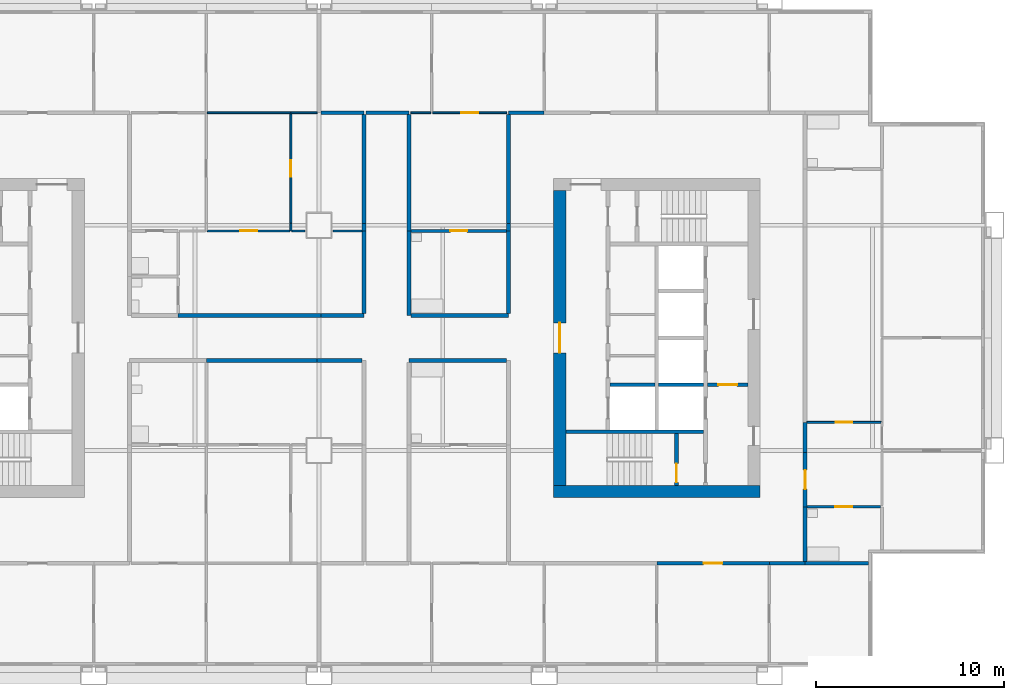
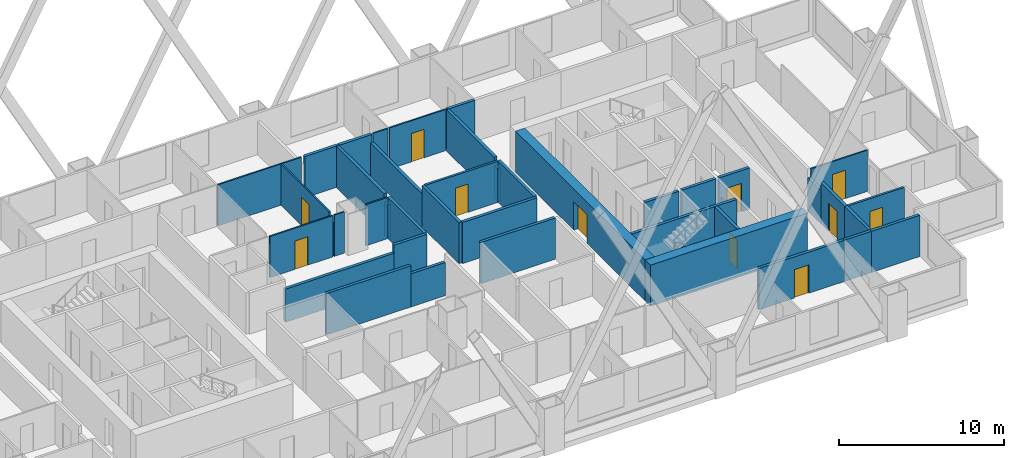
# One storey, part 6 of 11: 42 walls, 11 doors, 11 openings.
"""IFC4 building model written with IfcOpenShell, lengths in metres."""

from ifc_helpers import new_model, si_unit, direction, frame, frame_2d, origin, place, context, subcontext, project, spatial, rectangle, extrude, material, layer, layer_set, type_object, element, fill, save


model = new_model("IFC4")

# Units and contexts
model_context = context("Model", 3, precision=1e-05, world=origin(), true_north=direction((0.0, 1.0)))
body_context = subcontext(model_context, "Body", "Model", "MODEL_VIEW")
ifc_project = project(units=[si_unit("LENGTHUNIT", "METRE"), si_unit("AREAUNIT", "SQUARE_METRE"), si_unit("VOLUMEUNIT", "CUBIC_METRE"), si_unit("PLANEANGLEUNIT", "RADIAN"), si_unit("MASSUNIT", "GRAM", prefix="KILO")], contexts=[model_context])

# Site, building, storey
site_placement = place(None, origin())
site = spatial("IfcSite", under=ifc_project, at=site_placement, CompositionType="ELEMENT")
building_placement = place(site_placement, origin())
building = spatial("IfcBuilding", under=site, at=building_placement, Name="Kitamizu Gate Tower and Museum", CompositionType="ELEMENT")
storey_placement = place(building_placement, frame((0.0, 0.0, 131.10009765625)))
storey = spatial("IfcBuildingStorey", under=building, at=storey_placement, Name="L34", CompositionType="ELEMENT", Elevation=131.10009765625)

# Wall
ifc_material_1 = material(Name="Concrete Fc60", Category="concrete")
ifc_layer_1 = layer(ifc_material_1, 0.64990234375)
ifc_layer_set_1 = layer_set([ifc_layer_1], Name="Concrete Fc60")
wall_type_1 = type_object("IfcWallType", Name="Core wall 650", PredefinedType="SHEAR", material=ifc_layer_set_1)
wall_1_placement = place(storey_placement, frame((59.5, 21.824951171875, 0.0), z_axis=(0.0, 0.0, 1.0), x_axis=(-1.0, 0.0, 0.0)))
element("IfcWall", 1, at=wall_1_placement, inside=storey, type_object=wall_type_1, Name="Core wall ES", PredefinedType="SHEAR", context=body_context, shape_type="SweptSolid", body=[
    extrude(rectangle(XDim=11.0, YDim=0.64990234375, at=frame_2d((5.5, 0.0))), origin(), (0.0, 0.0, 1.0), 3.0498046875),
])

# Wall, opening, door
wall_2_placement = place(storey_placement, frame((48.824951171875, 22.14990234375, 0.0), z_axis=(0.0, 0.0, 1.0), x_axis=(0.0, 1.0, 0.0)))
wall_2 = element("IfcWall", 2, at=wall_2_placement, inside=storey, type_object=wall_type_1, Name="Core wall EARC", PredefinedType="SHEAR", context=body_context, shape_type="SweptSolid", body=[
    extrude(rectangle(XDim=15.7001953125, YDim=0.64990234375, at=frame_2d((7.85009765625, 0.0))), origin(), (0.0, 0.0, 1.0), 3.0498046875),
])
opening_1_placement = place(wall_2_placement, frame((7.050048828125, 0.0, 0.0)))
opening_1 = element("IfcOpeningElement", 3, at=opening_1_placement, cuts=wall_2, Name="Opening L34-072", PredefinedType="OPENING", context=body_context, shape_type="SweptSolid", body=[
    extrude(rectangle(XDim=1.60009765625, YDim=2.10009765625, at=frame_2d((0.800048828125, 1.050048828125))), frame((0.0, 0.3349609375, 0.0), z_axis=(0.0, -1.0, 0.0), x_axis=(1.0, 0.0, 0.0)), (0.0, 0.0, 1.0), 0.669921875),
])
ifc_material_2 = material(Name="Timber door set", Category="wood")
door_type_1 = type_object("IfcDoorType", Name="Entrance door 1600", OperationType="DOUBLE_DOOR_SINGLE_SWING", PredefinedType="DOOR", material=ifc_material_2)
door_1_placement = place(opening_1_placement, origin())
door_1 = element("IfcDoor", 4, at=door_1_placement, inside=storey, type_object=door_type_1, Name="Lobby door L34-072", OperationType="DOUBLE_DOOR_SINGLE_SWING", OverallHeight=2.10009765625, OverallWidth=1.60009765625, PredefinedType="DOOR", context=body_context, shape_type="SweptSolid", body=[
    extrude(rectangle(XDim=1.60009765625, YDim=2.10009765625, at=frame_2d((0.800048828125, 1.050048828125))), frame((0.0, 0.02490234375, 0.0), z_axis=(0.0, -1.0, 0.0), x_axis=(1.0, 0.0, 0.0)), (0.0, 0.0, 1.0), 0.050048828125),
])
fill(opening_1, door_1)

# Walls
ifc_material_3 = material(Name="Gypsum board on galvanised stud")
ifc_layer_2 = layer(ifc_material_3, 0.10009765625)
ifc_layer_set_2 = layer_set([ifc_layer_2], Name="Gypsum board on galvanised stud")
wall_type_2 = type_object("IfcWallType", Name="Partition 100 NOT RATED", PredefinedType="PARTITIONING", material=ifc_layer_set_2)
wall_3_placement = place(storey_placement, frame((30.050048828125, 42.0, 0.0), z_axis=(0.0, 0.0, 1.0), x_axis=(1.0, 0.0, 0.0)))
element("IfcWall", 5, at=wall_3_placement, inside=storey, type_object=wall_type_2, Name="Partition L34-060", PredefinedType="PARTITIONING", context=body_context, shape_type="SweptSolid", body=[
    extrude(rectangle(XDim=4.449951171875, YDim=0.10009765625, at=frame_2d((2.22509765625, 0.0))), origin(), (0.0, 0.0, 1.0), 3.0498046875),
])
wall_4_placement = place(storey_placement, frame((34.5, 42.0, 0.0), z_axis=(0.0, 0.0, 1.0), x_axis=(1.0, 0.0, 0.0)))
element("IfcWall", 6, at=wall_4_placement, inside=storey, type_object=wall_type_2, Name="Partition L34-061", PredefinedType="PARTITIONING", context=body_context, shape_type="SweptSolid", body=[
    extrude(rectangle(XDim=1.39990234375, YDim=0.10009765625, at=frame_2d((0.699951171875, 0.0))), origin(), (0.0, 0.0, 1.0), 3.0498046875),
])
wall_5_placement = place(storey_placement, frame((34.5, 35.699951171875, 0.0), z_axis=(0.0, 0.0, 1.0), x_axis=(0.0, 1.0, 0.0)))
element("IfcWall", 7, at=wall_5_placement, inside=storey, type_object=wall_type_2, Name="Partition L34-068", PredefinedType="PARTITIONING", context=body_context, shape_type="SweptSolid", body=[
    extrude(rectangle(XDim=0.400146484375, YDim=0.10009765625, at=frame_2d((0.2001953125, 0.0))), origin(), (0.0, 0.0, 1.0), 2.449951171875),
])

# Wall, opening, door
wall_6_placement = place(storey_placement, frame((34.5, 36.10009765625, 0.0), z_axis=(0.0, 0.0, 1.0), x_axis=(0.0, 1.0, 0.0)))
wall_6 = element("IfcWall", 8, at=wall_6_placement, inside=storey, type_object=wall_type_2, Name="Partition L34-069", PredefinedType="PARTITIONING", context=body_context, shape_type="SweptSolid", body=[
    extrude(rectangle(XDim=5.849853515625, YDim=0.10009765625, at=frame_2d((2.9248046875, 0.0))), origin(), (0.0, 0.0, 1.0), 3.0498046875),
])
opening_2_placement = place(wall_6_placement, frame((2.47509765625, 0.0, 0.0)))
opening_2 = element("IfcOpeningElement", 9, at=opening_2_placement, cuts=wall_6, Name="Opening L34-025", PredefinedType="OPENING", context=body_context, shape_type="SweptSolid", body=[
    extrude(rectangle(XDim=0.89990234375, YDim=2.10009765625, at=frame_2d((0.449951171875, 1.050048828125))), frame((0.0, 0.06005859375, 0.0), z_axis=(0.0, -1.0, 0.0), x_axis=(1.0, 0.0, 0.0)), (0.0, 0.0, 1.0), 0.1201171875),
])
ifc_material_4 = material(Name="Timber door set", Category="wood")
door_type_2 = type_object("IfcDoorType", Name="Room door 900", OperationType="NOTDEFINED", PredefinedType="DOOR", material=ifc_material_4)
door_2_placement = place(opening_2_placement, frame((0.89990234375, 0.0, 0.0), x_axis=(-1.0, 0.0, 0.0)))
door_2 = element("IfcDoor", 10, at=door_2_placement, inside=storey, type_object=door_type_2, Name="Door L34-025", OperationType="SINGLE_SWING_LEFT", OverallHeight=2.10009765625, OverallWidth=0.89990234375, PredefinedType="DOOR", context=body_context, shape_type="SweptSolid", body=[
    extrude(rectangle(XDim=0.89990234375, YDim=2.10009765625, at=frame_2d((0.449951171875, 1.050048828125))), frame((0.0, 0.02490234375, 0.0), z_axis=(0.0, -1.0, 0.0), x_axis=(1.0, 0.0, 0.0)), (0.0, 0.0, 1.0), 0.050048828125),
])
fill(opening_2, door_2)

wall_7_placement = place(storey_placement, frame((30.050048828125, 35.699951171875, 0.0), z_axis=(0.0, 0.0, 1.0), x_axis=(1.0, 0.0, 0.0)))
wall_7 = element("IfcWall", 11, at=wall_7_placement, inside=storey, type_object=wall_type_2, Name="Partition L34-070", PredefinedType="PARTITIONING", context=body_context, shape_type="SweptSolid", body=[
    extrude(rectangle(XDim=4.39990234375, YDim=0.10009765625, at=frame_2d((2.199951171875, 0.0))), origin(), (0.0, 0.0, 1.0), 3.0498046875),
])
opening_3_placement = place(wall_7_placement, frame((1.75, 0.0, 0.0)))
opening_3 = element("IfcOpeningElement", 12, at=opening_3_placement, cuts=wall_7, Name="Opening L34-027", PredefinedType="OPENING", context=body_context, shape_type="SweptSolid", body=[
    extrude(rectangle(XDim=0.89990234375, YDim=2.10009765625, at=frame_2d((0.449951171875, 1.050048828125))), frame((0.0, 0.06005859375, 0.0), z_axis=(0.0, -1.0, 0.0), x_axis=(1.0, 0.0, 0.0)), (0.0, 0.0, 1.0), 0.1201171875),
])
door_3_placement = place(opening_3_placement, origin())
door_3 = element("IfcDoor", 13, at=door_3_placement, inside=storey, type_object=door_type_2, Name="Door L34-027", OperationType="SINGLE_SWING_RIGHT", OverallHeight=2.10009765625, OverallWidth=0.89990234375, PredefinedType="DOOR", context=body_context, shape_type="SweptSolid", body=[
    extrude(rectangle(XDim=0.89990234375, YDim=2.10009765625, at=frame_2d((0.449951171875, 1.050048828125))), frame((0.0, 0.02490234375, 0.0), z_axis=(0.0, -1.0, 0.0), x_axis=(1.0, 0.0, 0.0)), (0.0, 0.0, 1.0), 0.050048828125),
])
fill(opening_3, door_3)

# Walls
wall_8_placement = place(storey_placement, frame((34.550048828125, 35.699951171875, 0.0), z_axis=(0.0, 0.0, 1.0), x_axis=(1.0, 0.0, 0.0)))
element("IfcWall", 14, at=wall_8_placement, inside=storey, type_object=wall_type_2, Name="Partition L34-071", PredefinedType="PARTITIONING", context=body_context, shape_type="SweptSolid", body=[
    extrude(rectangle(XDim=0.699951171875, YDim=0.10009765625, at=frame_2d((0.35009765625, 0.0))), origin(), (0.0, 0.0, 1.0), 3.0498046875),
])
wall_9_placement = place(storey_placement, frame((36.75, 35.699951171875, 0.0), z_axis=(0.0, 0.0, 1.0), x_axis=(1.0, 0.0, 0.0)))
element("IfcWall", 15, at=wall_9_placement, inside=storey, type_object=wall_type_2, Name="Partition L34-072", PredefinedType="PARTITIONING", context=body_context, shape_type="SweptSolid", body=[
    extrude(rectangle(XDim=1.550048828125, YDim=0.10009765625, at=frame_2d((0.77490234375, 0.0))), origin(), (0.0, 0.0, 1.0), 3.0498046875),
])
wall_10_placement = place(storey_placement, frame((40.89990234375, 42.0, 0.0), z_axis=(0.0, 0.0, 1.0), x_axis=(1.0, 0.0, 0.0)))
element("IfcWall", 16, at=wall_10_placement, inside=storey, type_object=wall_type_2, Name="Partition L34-107", PredefinedType="PARTITIONING", context=body_context, shape_type="SweptSolid", body=[
    extrude(rectangle(XDim=1.050048828125, YDim=0.10009765625, at=frame_2d((0.52490234375, 0.0))), origin(), (0.0, 0.0, 1.0), 3.0498046875),
])

# Wall, opening, door
wall_11_placement = place(storey_placement, frame((42.050048828125, 42.0, 0.0), z_axis=(0.0, 0.0, 1.0), x_axis=(1.0, 0.0, 0.0)))
wall_11 = element("IfcWall", 17, at=wall_11_placement, inside=storey, type_object=wall_type_2, Name="Partition L34-110", PredefinedType="PARTITIONING", context=body_context, shape_type="SweptSolid", body=[
    extrude(rectangle(XDim=3.949951171875, YDim=0.10009765625, at=frame_2d((1.97509765625, 0.0))), origin(), (0.0, 0.0, 1.0), 3.0498046875),
])
opening_4_placement = place(wall_11_placement, frame((1.52490234375, 0.0, 0.0)))
opening_4 = element("IfcOpeningElement", 18, at=opening_4_placement, cuts=wall_11, Name="Opening L34-043", PredefinedType="OPENING", context=body_context, shape_type="SweptSolid", body=[
    extrude(rectangle(XDim=0.89990234375, YDim=2.10009765625, at=frame_2d((0.449951171875, 1.050048828125))), frame((0.0, 0.06005859375, 0.0), z_axis=(0.0, -1.0, 0.0), x_axis=(1.0, 0.0, 0.0)), (0.0, 0.0, 1.0), 0.1201171875),
])
door_4_placement = place(opening_4_placement, origin())
door_4 = element("IfcDoor", 19, at=door_4_placement, inside=storey, type_object=door_type_2, Name="Door L34-043", OperationType="SINGLE_SWING_LEFT", OverallHeight=2.10009765625, OverallWidth=0.89990234375, PredefinedType="DOOR", context=body_context, shape_type="SweptSolid", body=[
    extrude(rectangle(XDim=0.89990234375, YDim=2.10009765625, at=frame_2d((0.449951171875, 1.050048828125))), frame((0.0, 0.02490234375, 0.0), z_axis=(0.0, -1.0, 0.0), x_axis=(1.0, 0.0, 0.0)), (0.0, 0.0, 1.0), 0.050048828125),
])
fill(opening_4, door_4)

wall_12_placement = place(storey_placement, frame((65.949951171875, 25.5, 0.0), z_axis=(0.0, 0.0, 1.0), x_axis=(-1.0, 0.0, 0.0)))
wall_12 = element("IfcWall", 20, at=wall_12_placement, inside=storey, type_object=wall_type_2, Name="Partition L34-136", PredefinedType="PARTITIONING", context=body_context, shape_type="SweptSolid", body=[
    extrude(rectangle(XDim=3.949951171875, YDim=0.10009765625, at=frame_2d((1.97509765625, 0.0))), origin(), (0.0, 0.0, 1.0), 3.0498046875),
])
opening_5_placement = place(wall_12_placement, frame((1.52490234375, 0.0, 0.0)))
opening_5 = element("IfcOpeningElement", 21, at=opening_5_placement, cuts=wall_12, Name="Opening L34-047", PredefinedType="OPENING", context=body_context, shape_type="SweptSolid", body=[
    extrude(rectangle(XDim=0.89990234375, YDim=2.10009765625, at=frame_2d((0.449951171875, 1.050048828125))), frame((0.0, 0.06005859375, 0.0), z_axis=(0.0, -1.0, 0.0), x_axis=(1.0, 0.0, 0.0)), (0.0, 0.0, 1.0), 0.1201171875),
])
door_5_placement = place(opening_5_placement, origin())
door_5 = element("IfcDoor", 22, at=door_5_placement, inside=storey, type_object=door_type_2, Name="Door L34-047", OperationType="SINGLE_SWING_LEFT", OverallHeight=2.10009765625, OverallWidth=0.89990234375, PredefinedType="DOOR", context=body_context, shape_type="SweptSolid", body=[
    extrude(rectangle(XDim=0.89990234375, YDim=2.10009765625, at=frame_2d((0.449951171875, 1.050048828125))), frame((0.0, 0.02490234375, 0.0), z_axis=(0.0, -1.0, 0.0), x_axis=(1.0, 0.0, 0.0)), (0.0, 0.0, 1.0), 0.050048828125),
])
fill(opening_5, door_5)

ifc_material_5 = material(Name="Gypsum board on galvanised stud")
ifc_layer_3 = layer(ifc_material_5, 0.14990234375)
ifc_layer_set_3 = layer_set([ifc_layer_3], Name="Gypsum board on galvanised stud")
wall_type_3 = type_object("IfcWallType", Name="Partition 150", PredefinedType="PARTITIONING", material=ifc_layer_set_3)
wall_13_placement = place(storey_placement, frame((40.89990234375, 35.699951171875, 0.0), z_axis=(0.0, 0.0, 1.0), x_axis=(1.0, 0.0, 0.0)))
wall_13 = element("IfcWall", 23, at=wall_13_placement, inside=storey, type_object=wall_type_3, Name="Partition L34-118", PredefinedType="PARTITIONING", context=body_context, shape_type="SweptSolid", body=[
    extrude(rectangle(XDim=5.10009765625, YDim=0.14990234375, at=frame_2d((2.550048828125, 0.0))), origin(), (0.0, 0.0, 1.0), 3.0498046875),
])
opening_6_placement = place(wall_13_placement, frame((2.10009765625, 0.0, 0.0)))
opening_6 = element("IfcOpeningElement", 24, at=opening_6_placement, cuts=wall_13, Name="Opening L34-044", PredefinedType="OPENING", context=body_context, shape_type="SweptSolid", body=[
    extrude(rectangle(XDim=0.89990234375, YDim=2.10009765625, at=frame_2d((0.449951171875, 1.050048828125))), frame((0.0, 0.0849609375, 0.0), z_axis=(0.0, -1.0, 0.0), x_axis=(1.0, 0.0, 0.0)), (0.0, 0.0, 1.0), 0.169921875),
])
ifc_material_6 = material(Name="Timber door set", Category="wood")
door_type_3 = type_object("IfcDoorType", Name="Bathroom door 900", OperationType="NOTDEFINED", PredefinedType="DOOR", material=ifc_material_6)
door_6_placement = place(opening_6_placement, frame((0.89990234375, 0.0, 0.0), x_axis=(-1.0, 0.0, 0.0)))
door_6 = element("IfcDoor", 25, at=door_6_placement, inside=storey, type_object=door_type_3, Name="Bathroom door L34-044", OperationType="SINGLE_SWING_LEFT", OverallHeight=2.10009765625, OverallWidth=0.89990234375, PredefinedType="DOOR", context=body_context, shape_type="SweptSolid", body=[
    extrude(rectangle(XDim=0.89990234375, YDim=2.10009765625, at=frame_2d((0.449951171875, 1.050048828125))), frame((0.0, 0.02490234375, 0.0), z_axis=(0.0, -1.0, 0.0), x_axis=(1.0, 0.0, 0.0)), (0.0, 0.0, 1.0), 0.050048828125),
])
fill(opening_6, door_6)

wall_14_placement = place(storey_placement, frame((65.925048828125, 21.0, 0.0), z_axis=(0.0, 0.0, 1.0), x_axis=(-1.0, 0.0, 0.0)))
wall_14 = element("IfcWall", 26, at=wall_14_placement, inside=storey, type_object=wall_type_3, Name="Partition L34-134", PredefinedType="PARTITIONING", context=body_context, shape_type="SweptSolid", body=[
    extrude(rectangle(XDim=3.925048828125, YDim=0.14990234375, at=frame_2d((1.96240234375, 0.0))), origin(), (0.0, 0.0, 1.0), 3.0498046875),
])
opening_7_placement = place(wall_14_placement, frame((1.512451171875, 0.0, 0.0)))
opening_7 = element("IfcOpeningElement", 27, at=opening_7_placement, cuts=wall_14, Name="Opening L34-050", PredefinedType="OPENING", context=body_context, shape_type="SweptSolid", body=[
    extrude(rectangle(XDim=0.89990234375, YDim=2.10009765625, at=frame_2d((0.449951171875, 1.050048828125))), frame((0.0, 0.0849609375, 0.0), z_axis=(0.0, -1.0, 0.0), x_axis=(1.0, 0.0, 0.0)), (0.0, 0.0, 1.0), 0.169921875),
])
door_7_placement = place(opening_7_placement, origin())
door_7 = element("IfcDoor", 28, at=door_7_placement, inside=storey, type_object=door_type_3, Name="Bathroom door L34-050", OperationType="SINGLE_SWING_RIGHT", OverallHeight=2.10009765625, OverallWidth=0.89990234375, PredefinedType="DOOR", context=body_context, shape_type="SweptSolid", body=[
    extrude(rectangle(XDim=0.89990234375, YDim=2.10009765625, at=frame_2d((0.449951171875, 1.050048828125))), frame((0.0, 0.02490234375, 0.0), z_axis=(0.0, -1.0, 0.0), x_axis=(1.0, 0.0, 0.0)), (0.0, 0.0, 1.0), 0.050048828125),
])
fill(opening_7, door_7)

# Walls
ifc_material_7 = material(Name="Gypsum board on galvanised stud")
ifc_layer_4 = layer(ifc_material_7, 0.199951171875)
ifc_layer_set_4 = layer_set([ifc_layer_4], Name="Gypsum board on galvanised stud")
wall_type_4 = type_object("IfcWallType", Name="Partition 200", PredefinedType="PARTITIONING", material=ifc_layer_set_4)
wall_15_placement = place(storey_placement, frame((38.300048828125, 28.800048828125, 0.0), z_axis=(0.0, 0.0, 1.0), x_axis=(-1.0, 0.0, 0.0)))
element("IfcWall", 29, at=wall_15_placement, inside=storey, type_object=wall_type_4, Name="Partition L34-028", PredefinedType="PARTITIONING", context=body_context, shape_type="SweptSolid", body=[
    extrude(rectangle(XDim=2.400146484375, YDim=0.199951171875, at=frame_2d((1.2001953125, 0.0))), origin(), (0.0, 0.0, 1.0), 2.449951171875),
])
wall_16_placement = place(storey_placement, frame((35.89990234375, 28.800048828125, 0.0), z_axis=(0.0, 0.0, 1.0), x_axis=(-1.0, 0.0, 0.0)))
element("IfcWall", 30, at=wall_16_placement, inside=storey, type_object=wall_type_4, Name="Partition L34-029", PredefinedType="PARTITIONING", context=body_context, shape_type="SweptSolid", body=[
    extrude(rectangle(XDim=5.89990234375, YDim=0.199951171875, at=frame_2d((2.949951171875, 0.0))), origin(), (0.0, 0.0, 1.0), 3.0498046875),
])

# Wall, opening, door
wall_17_placement = place(storey_placement, frame((60.0, 18.0, 0.0), z_axis=(0.0, 0.0, 1.0), x_axis=(-1.0, 0.0, 0.0)))
wall_17 = element("IfcWall", 31, at=wall_17_placement, inside=storey, type_object=wall_type_4, Name="Partition L34-039", PredefinedType="PARTITIONING", context=body_context, shape_type="SweptSolid", body=[
    extrude(rectangle(XDim=6.0, YDim=0.199951171875, at=frame_2d((3.0, 0.0))), origin(), (0.0, 0.0, 1.0), 3.0498046875),
])
opening_8_placement = place(wall_17_placement, frame((2.5, 0.0, 0.0)))
opening_8 = element("IfcOpeningElement", 32, at=opening_8_placement, cuts=wall_17, Name="Opening L34-011", PredefinedType="OPENING", context=body_context, shape_type="SweptSolid", body=[
    extrude(rectangle(XDim=1.0, YDim=2.10009765625, at=frame_2d((0.5, 1.050048828125))), frame((0.0, 0.10986328125, 0.0), z_axis=(0.0, -1.0, 0.0), x_axis=(1.0, 0.0, 0.0)), (0.0, 0.0, 1.0), 0.219970703125),
])
ifc_material_8 = material(Name="Timber door set", Category="wood")
door_type_4 = type_object("IfcDoorType", Name="Flat entrance door 1000", OperationType="NOTDEFINED", PredefinedType="DOOR", material=ifc_material_8)
door_8_placement = place(opening_8_placement, origin())
door_8 = element("IfcDoor", 33, at=door_8_placement, inside=storey, type_object=door_type_4, Name="Flat entrance door L34-011", OperationType="SINGLE_SWING_RIGHT", OverallHeight=2.10009765625, OverallWidth=1.0, PredefinedType="DOOR", context=body_context, shape_type="SweptSolid", body=[
    extrude(rectangle(XDim=1.0, YDim=2.10009765625, at=frame_2d((0.5, 1.050048828125))), frame((0.0, 0.02490234375, 0.0), z_axis=(0.0, -1.0, 0.0), x_axis=(1.0, 0.0, 0.0)), (0.0, 0.0, 1.0), 0.050048828125),
])
fill(opening_8, door_8)

# Walls
wall_18_placement = place(storey_placement, frame((65.280029296875, 18.0, 0.0), z_axis=(0.0, 0.0, 1.0), x_axis=(-1.0, 0.0, 0.0)))
element("IfcWall", 34, at=wall_18_placement, inside=storey, type_object=wall_type_4, Name="Partition L34-040", PredefinedType="PARTITIONING", context=body_context, shape_type="SweptSolid", body=[
    extrude(rectangle(XDim=3.380126953125, YDim=0.199951171875, at=frame_2d((1.68994140625, 0.0))), origin(), (0.0, 0.0, 1.0), 3.0498046875),
])
wall_19_placement = place(storey_placement, frame((61.89990234375, 18.0, 0.0), z_axis=(0.0, 0.0, 1.0), x_axis=(-1.0, 0.0, 0.0)))
element("IfcWall", 35, at=wall_19_placement, inside=storey, type_object=wall_type_4, Name="Partition L34-041", PredefinedType="PARTITIONING", context=body_context, shape_type="SweptSolid", body=[
    extrude(rectangle(XDim=1.89990234375, YDim=0.199951171875, at=frame_2d((0.949951171875, 0.0))), origin(), (0.0, 0.0, 1.0), 3.0498046875),
])
wall_20_placement = place(storey_placement, frame((46.0, 28.800048828125, 0.0), z_axis=(0.0, 0.0, 1.0), x_axis=(-1.0, 0.0, 0.0)))
element("IfcWall", 36, at=wall_20_placement, inside=storey, type_object=wall_type_4, Name="Partition L34-047", PredefinedType="PARTITIONING", context=body_context, shape_type="SweptSolid", body=[
    extrude(rectangle(XDim=5.199951171875, YDim=0.199951171875, at=frame_2d((2.60009765625, 0.0))), origin(), (0.0, 0.0, 1.0), 3.0498046875),
])
wall_21_placement = place(storey_placement, frame((38.39990234375, 42.0, 0.0), z_axis=(0.0, 0.0, 1.0), x_axis=(-1.0, 0.0, 0.0)))
element("IfcWall", 37, at=wall_21_placement, inside=storey, type_object=wall_type_4, Name="Partition L34-073", PredefinedType="PARTITIONING", context=body_context, shape_type="SweptSolid", body=[
    extrude(rectangle(XDim=2.2998046875, YDim=0.199951171875, at=frame_2d((1.14990234375, 0.0))), origin(), (0.0, 0.0, 1.0), 3.0498046875),
])
wall_22_placement = place(storey_placement, frame((38.39990234375, 35.699951171875, 0.0), z_axis=(0.0, 0.0, 1.0), x_axis=(0.0, 1.0, 0.0)))
element("IfcWall", 38, at=wall_22_placement, inside=storey, type_object=wall_type_4, Name="Partition L34-074", PredefinedType="PARTITIONING", context=body_context, shape_type="SweptSolid", body=[
    extrude(rectangle(XDim=0.400146484375, YDim=0.199951171875, at=frame_2d((0.2001953125, 0.0))), origin(), (0.0, 0.0, 1.0), 2.449951171875),
])
wall_23_placement = place(storey_placement, frame((38.39990234375, 36.10009765625, 0.0), z_axis=(0.0, 0.0, 1.0), x_axis=(0.0, 1.0, 0.0)))
element("IfcWall", 39, at=wall_23_placement, inside=storey, type_object=wall_type_4, Name="Partition L34-075", PredefinedType="PARTITIONING", context=body_context, shape_type="SweptSolid", body=[
    extrude(rectangle(XDim=5.7998046875, YDim=0.199951171875, at=frame_2d((2.89990234375, 0.0))), origin(), (0.0, 0.0, 1.0), 3.0498046875),
])
wall_24_placement = place(storey_placement, frame((28.5, 31.199951171875, 0.0), z_axis=(0.0, 0.0, 1.0), x_axis=(1.0, 0.0, 0.0)))
element("IfcWall", 40, at=wall_24_placement, inside=storey, type_object=wall_type_4, Name="Partition L34-082", PredefinedType="PARTITIONING", context=body_context, shape_type="SweptSolid", body=[
    extrude(rectangle(XDim=7.60009765625, YDim=0.199951171875, at=frame_2d((3.800048828125, 0.0))), origin(), (0.0, 0.0, 1.0), 2.449951171875),
])
wall_25_placement = place(storey_placement, frame((36.10009765625, 31.199951171875, 0.0), z_axis=(0.0, 0.0, 1.0), x_axis=(1.0, 0.0, 0.0)))
element("IfcWall", 41, at=wall_25_placement, inside=storey, type_object=wall_type_4, Name="Partition L34-083", PredefinedType="PARTITIONING", context=body_context, shape_type="SweptSolid", body=[
    extrude(rectangle(XDim=2.2998046875, YDim=0.199951171875, at=frame_2d((1.14990234375, 0.0))), origin(), (0.0, 0.0, 1.0), 3.0498046875),
])
wall_26_placement = place(storey_placement, frame((38.39990234375, 31.300048828125, 0.0), z_axis=(0.0, 0.0, 1.0), x_axis=(0.0, 1.0, 0.0)))
element("IfcWall", 42, at=wall_26_placement, inside=storey, type_object=wall_type_4, Name="Partition L34-084", PredefinedType="PARTITIONING", context=body_context, shape_type="SweptSolid", body=[
    extrude(rectangle(XDim=4.39990234375, YDim=0.199951171875, at=frame_2d((2.199951171875, 0.0))), origin(), (0.0, 0.0, 1.0), 3.0498046875),
])
wall_27_placement = place(storey_placement, frame((38.5, 42.0, 0.0), z_axis=(0.0, 0.0, 1.0), x_axis=(1.0, 0.0, 0.0)))
element("IfcWall", 43, at=wall_27_placement, inside=storey, type_object=wall_type_4, Name="Partition L34-108", PredefinedType="PARTITIONING", context=body_context, shape_type="SweptSolid", body=[
    extrude(rectangle(XDim=2.300048828125, YDim=0.199951171875, at=frame_2d((1.14990234375, 0.0))), origin(), (0.0, 0.0, 1.0), 3.0498046875),
])
wall_28_placement = place(storey_placement, frame((46.10009765625, 42.0, 0.0), z_axis=(0.0, 0.0, 1.0), x_axis=(1.0, 0.0, 0.0)))
element("IfcWall", 44, at=wall_28_placement, inside=storey, type_object=wall_type_4, Name="Partition L34-111", PredefinedType="PARTITIONING", context=body_context, shape_type="SweptSolid", body=[
    extrude(rectangle(XDim=1.89990234375, YDim=0.199951171875, at=frame_2d((0.949951171875, 0.0))), origin(), (0.0, 0.0, 1.0), 3.0498046875),
])
wall_29_placement = place(storey_placement, frame((40.800048828125, 41.89990234375, 0.0), z_axis=(0.0, 0.0, 1.0), x_axis=(0.0, -1.0, 0.0)))
element("IfcWall", 45, at=wall_29_placement, inside=storey, type_object=wall_type_4, Name="Partition L34-119", PredefinedType="PARTITIONING", context=body_context, shape_type="SweptSolid", body=[
    extrude(rectangle(XDim=6.199951171875, YDim=0.199951171875, at=frame_2d((3.10009765625, 0.0))), origin(), (0.0, 0.0, 1.0), 2.449951171875),
])
wall_30_placement = place(storey_placement, frame((46.10009765625, 35.699951171875, 0.0), z_axis=(0.0, 0.0, 1.0), x_axis=(0.0, 1.0, 0.0)))
element("IfcWall", 46, at=wall_30_placement, inside=storey, type_object=wall_type_4, Name="Partition L34-120", PredefinedType="PARTITIONING", context=body_context, shape_type="SweptSolid", body=[
    extrude(rectangle(XDim=0.400146484375, YDim=0.199951171875, at=frame_2d((0.2001953125, 0.0))), origin(), (0.0, 0.0, 1.0), 2.449951171875),
])
wall_31_placement = place(storey_placement, frame((46.10009765625, 36.10009765625, 0.0), z_axis=(0.0, 0.0, 1.0), x_axis=(0.0, 1.0, 0.0)))
element("IfcWall", 47, at=wall_31_placement, inside=storey, type_object=wall_type_4, Name="Partition L34-121", PredefinedType="PARTITIONING", context=body_context, shape_type="SweptSolid", body=[
    extrude(rectangle(XDim=5.7998046875, YDim=0.199951171875, at=frame_2d((2.89990234375, 0.0))), origin(), (0.0, 0.0, 1.0), 3.0498046875),
])
wall_32_placement = place(storey_placement, frame((40.800048828125, 35.699951171875, 0.0), z_axis=(0.0, 0.0, 1.0), x_axis=(0.0, -1.0, 0.0)))
element("IfcWall", 48, at=wall_32_placement, inside=storey, type_object=wall_type_4, Name="Partition L34-122", PredefinedType="PARTITIONING", context=body_context, shape_type="SweptSolid", body=[
    extrude(rectangle(XDim=4.5, YDim=0.199951171875, at=frame_2d((2.25, 0.0))), origin(), (0.0, 0.0, 1.0), 3.0498046875),
])
wall_33_placement = place(storey_placement, frame((40.89990234375, 31.199951171875, 0.0), z_axis=(0.0, 0.0, 1.0), x_axis=(1.0, 0.0, 0.0)))
element("IfcWall", 49, at=wall_33_placement, inside=storey, type_object=wall_type_4, Name="Partition L34-123", PredefinedType="PARTITIONING", context=body_context, shape_type="SweptSolid", body=[
    extrude(rectangle(XDim=5.2001953125, YDim=0.199951171875, at=frame_2d((2.60009765625, 0.0))), origin(), (0.0, 0.0, 1.0), 3.0498046875),
])
wall_34_placement = place(storey_placement, frame((46.10009765625, 31.300048828125, 0.0), z_axis=(0.0, 0.0, 1.0), x_axis=(0.0, 1.0, 0.0)))
element("IfcWall", 50, at=wall_34_placement, inside=storey, type_object=wall_type_4, Name="Partition L34-124", PredefinedType="PARTITIONING", context=body_context, shape_type="SweptSolid", body=[
    extrude(rectangle(XDim=4.39990234375, YDim=0.199951171875, at=frame_2d((2.199951171875, 0.0))), origin(), (0.0, 0.0, 1.0), 3.0498046875),
])
wall_35_placement = place(storey_placement, frame((61.89990234375, 21.0, 0.0), z_axis=(0.0, 0.0, 1.0), x_axis=(0.0, -1.0, 0.0)))
element("IfcWall", 51, at=wall_35_placement, inside=storey, type_object=wall_type_4, Name="Partition L34-135", PredefinedType="PARTITIONING", context=body_context, shape_type="SweptSolid", body=[
    extrude(rectangle(XDim=2.89990234375, YDim=0.199951171875, at=frame_2d((1.449951171875, 0.0))), origin(), (0.0, 0.0, 1.0), 3.0498046875),
])
wall_36_placement = place(storey_placement, frame((61.89990234375, 25.5, 0.0), z_axis=(0.0, 0.0, 1.0), x_axis=(0.0, -1.0, 0.0)))
element("IfcWall", 52, at=wall_36_placement, inside=storey, type_object=wall_type_4, Name="Partition L34-137", PredefinedType="PARTITIONING", context=body_context, shape_type="SweptSolid", body=[
    extrude(rectangle(XDim=1.60009765625, YDim=0.199951171875, at=frame_2d((0.800048828125, 0.0))), origin(), (0.0, 0.0, 1.0), 2.449951171875),
])

# Wall, opening, door
wall_37_placement = place(storey_placement, frame((61.89990234375, 23.89990234375, 0.0), z_axis=(0.0, 0.0, 1.0), x_axis=(0.0, -1.0, 0.0)))
wall_37 = element("IfcWall", 53, at=wall_37_placement, inside=storey, type_object=wall_type_4, Name="Partition L34-138", PredefinedType="PARTITIONING", context=body_context, shape_type="SweptSolid", body=[
    extrude(rectangle(XDim=2.89990234375, YDim=0.199951171875, at=frame_2d((1.449951171875, 0.0))), origin(), (0.0, 0.0, 1.0), 3.0498046875),
])
opening_9_placement = place(wall_37_placement, frame((0.949951171875, 0.0, 0.0)))
opening_9 = element("IfcOpeningElement", 54, at=opening_9_placement, cuts=wall_37, Name="Opening L34-045", PredefinedType="OPENING", context=body_context, shape_type="SweptSolid", body=[
    extrude(rectangle(XDim=1.0, YDim=2.10009765625, at=frame_2d((0.5, 1.050048828125))), frame((0.0, 0.10986328125, 0.0), z_axis=(0.0, -1.0, 0.0), x_axis=(1.0, 0.0, 0.0)), (0.0, 0.0, 1.0), 0.219970703125),
])
door_9_placement = place(opening_9_placement, origin())
door_9 = element("IfcDoor", 55, at=door_9_placement, inside=storey, type_object=door_type_4, Name="Flat entrance door L34-045", OperationType="SINGLE_SWING_LEFT", OverallHeight=2.10009765625, OverallWidth=1.0, PredefinedType="DOOR", context=body_context, shape_type="SweptSolid", body=[
    extrude(rectangle(XDim=1.0, YDim=2.10009765625, at=frame_2d((0.5, 1.050048828125))), frame((0.0, 0.02490234375, 0.0), z_axis=(0.0, -1.0, 0.0), x_axis=(1.0, 0.0, 0.0)), (0.0, 0.0, 1.0), 0.050048828125),
])
fill(opening_9, door_9)

# Wall
ifc_material_9 = material(Name="Concrete Fc42", Category="concrete")
ifc_layer_5 = layer(ifc_material_9, 0.199951171875)
ifc_layer_set_5 = layer_set([ifc_layer_5], Name="Concrete Fc42")
wall_type_5 = type_object("IfcWallType", Name="Shaft wall 200", PredefinedType="SOLIDWALL", material=ifc_layer_set_5)
wall_38_placement = place(storey_placement, frame((56.5, 25.0, 0.0), z_axis=(0.0, 0.0, 1.0), x_axis=(-1.0, 0.0, 0.0)))
element("IfcWall", 56, at=wall_38_placement, inside=storey, type_object=wall_type_5, Name="Shaft wall ESB", PredefinedType="SOLIDWALL", context=body_context, shape_type="SweptSolid", body=[
    extrude(rectangle(XDim=7.35009765625, YDim=0.199951171875, at=frame_2d((3.675048828125, 0.0))), origin(), (0.0, 0.0, 1.0), 3.0498046875),
])

# Wall, opening, door
wall_39_placement = place(storey_placement, frame((58.85009765625, 27.5, 0.0), z_axis=(0.0, 0.0, 1.0), x_axis=(-1.0, 0.0, 0.0)))
wall_39 = element("IfcWall", 57, at=wall_39_placement, inside=storey, type_object=wall_type_5, Name="Shaft wall EFFN", PredefinedType="SOLIDWALL", context=body_context, shape_type="SweptSolid", body=[
    extrude(rectangle(XDim=2.150146484375, YDim=0.199951171875, at=frame_2d((1.0751953125, 0.0))), origin(), (0.0, 0.0, 1.0), 3.0498046875),
])
opening_10_placement = place(wall_39_placement, frame((0.574951171875, 0.0, 0.0)))
opening_10 = element("IfcOpeningElement", 58, at=opening_10_placement, cuts=wall_39, Name="Opening L34-068", PredefinedType="OPENING", context=body_context, shape_type="SweptSolid", body=[
    extrude(rectangle(XDim=1.0, YDim=2.10009765625, at=frame_2d((0.5, 1.050048828125))), frame((0.0, 0.10986328125, 0.0), z_axis=(0.0, -1.0, 0.0), x_axis=(1.0, 0.0, 0.0)), (0.0, 0.0, 1.0), 0.219970703125),
])
ifc_material_10 = material(Name="Hollow metal door set")
door_type_5 = type_object("IfcDoorType", Name="Fire door 1000", OperationType="NOTDEFINED", PredefinedType="DOOR", material=ifc_material_10)
door_10_placement = place(opening_10_placement, origin())
door_10 = element("IfcDoor", 59, at=door_10_placement, inside=storey, type_object=door_type_5, Name="Fire-fighting lobby door L34-068", OperationType="SINGLE_SWING_LEFT", OverallHeight=2.10009765625, OverallWidth=1.0, PredefinedType="DOOR", context=body_context, shape_type="SweptSolid", body=[
    extrude(rectangle(XDim=1.0, YDim=2.10009765625, at=frame_2d((0.5, 1.050048828125))), frame((0.0, 0.02490234375, 0.0), z_axis=(0.0, -1.0, 0.0), x_axis=(1.0, 0.0, 0.0)), (0.0, 0.0, 1.0), 0.050048828125),
])
fill(opening_10, door_10)

wall_40_placement = place(storey_placement, frame((55.050048828125, 22.14990234375, 0.0), z_axis=(0.0, 0.0, 1.0), x_axis=(0.0, 1.0, 0.0)))
wall_40 = element("IfcWall", 60, at=wall_40_placement, inside=storey, type_object=wall_type_5, Name="Shaft wall ESZ", PredefinedType="SOLIDWALL", context=body_context, shape_type="SweptSolid", body=[
    extrude(rectangle(XDim=2.75, YDim=0.199951171875, at=frame_2d((1.375, 0.0))), origin(), (0.0, 0.0, 1.0), 3.0498046875),
])
opening_11_placement = place(wall_40_placement, frame((0.14990234375, 0.0, 0.0)))
opening_11 = element("IfcOpeningElement", 61, at=opening_11_placement, cuts=wall_40, Name="Opening L34-064", PredefinedType="OPENING", context=body_context, shape_type="SweptSolid", body=[
    extrude(rectangle(XDim=1.0, YDim=2.10009765625, at=frame_2d((0.5, 1.050048828125))), frame((0.0, 0.10986328125, 0.0), z_axis=(0.0, -1.0, 0.0), x_axis=(1.0, 0.0, 0.0)), (0.0, 0.0, 1.0), 0.219970703125),
])
door_11_placement = place(opening_11_placement, origin())
door_11 = element("IfcDoor", 62, at=door_11_placement, inside=storey, type_object=door_type_5, Name="Stair door L34-064", OperationType="SINGLE_SWING_RIGHT", OverallHeight=2.10009765625, OverallWidth=1.0, PredefinedType="DOOR", context=body_context, shape_type="SweptSolid", body=[
    extrude(rectangle(XDim=1.0, YDim=2.10009765625, at=frame_2d((0.5, 1.050048828125))), frame((0.0, 0.02490234375, 0.0), z_axis=(0.0, -1.0, 0.0), x_axis=(1.0, 0.0, 0.0)), (0.0, 0.0, 1.0), 0.050048828125),
])
fill(opening_11, door_11)

# Walls
for number, where, z_axis, x_axis, name in (
    (63, (56.5, 27.5, 0.0), (0.0, 0.0, 1.0), (-1.0, 0.0, 0.0), "Shaft wall EDVW0"),
    (64, (53.89990234375, 27.5, 0.0), (0.0, 0.0, 1.0), (-1.0, 0.0, 0.0), "Shaft wall EDVE0"),
):
    element("IfcWall", number, at=place(storey_placement, frame(where, z_axis=z_axis, x_axis=x_axis)), inside=storey, type_object=wall_type_5, Name=name, PredefinedType="SOLIDWALL", context=body_context, shape_type="SweptSolid", body=[
        extrude(rectangle(XDim=2.39990234375, YDim=0.199951171875, at=frame_2d((1.199951171875, 0.0))), origin(), (0.0, 0.0, 1.0), 3.0498046875),
    ])

save(model, "model.ifc")
